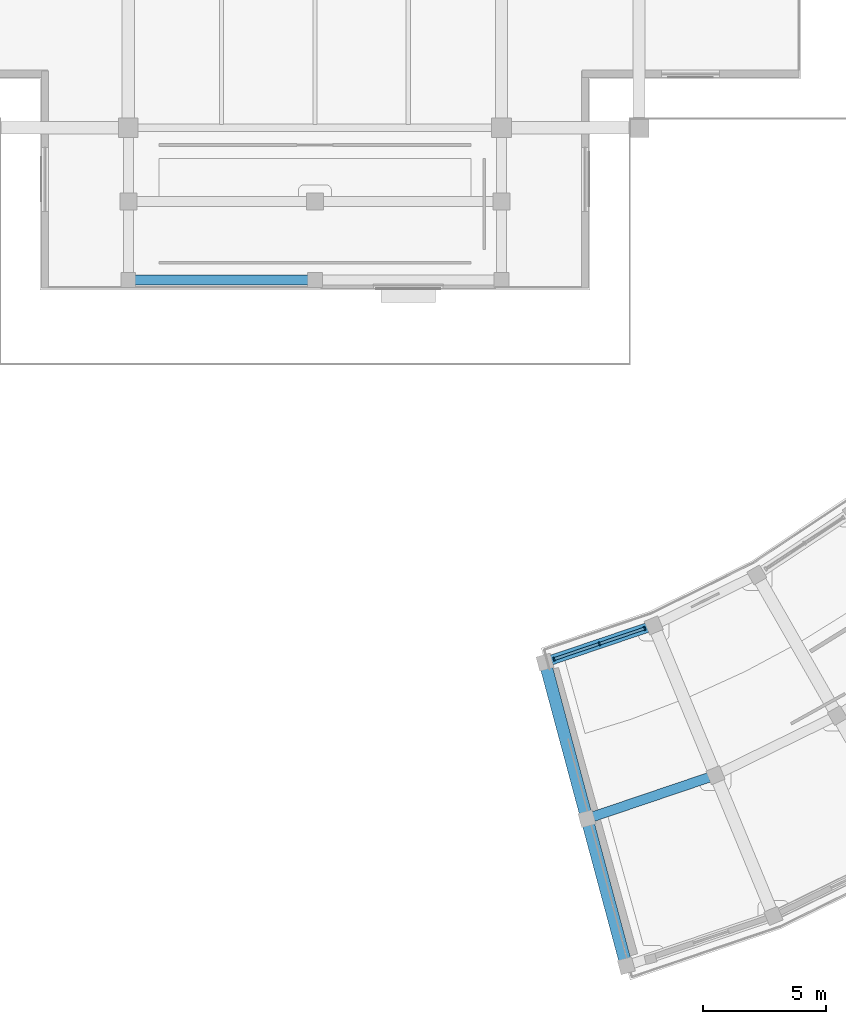
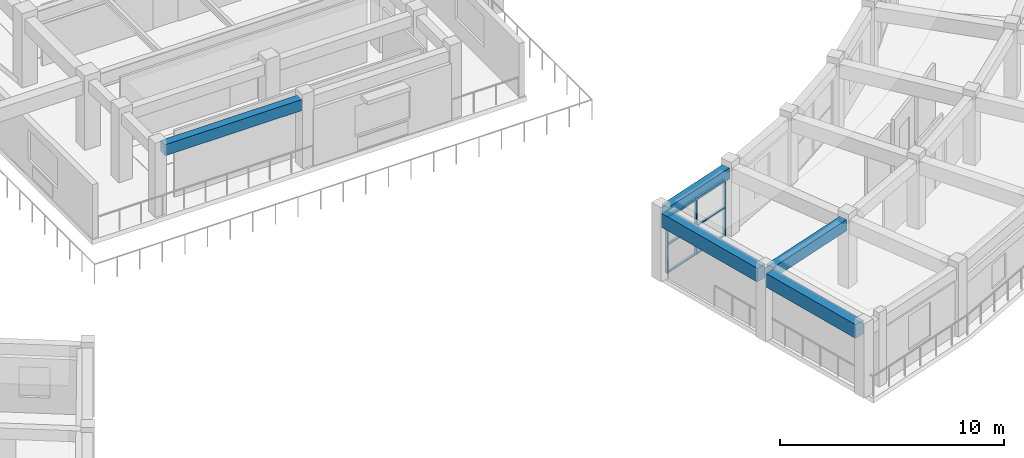
# One storey, part 15 of 72: 9 members, 5 beams, 1 element without a shape of its own.
"""IFC4 building model written with IfcOpenShell, lengths in metres."""

from ifc_helpers import new_model, si_unit, direction, frame, origin, origin_2d, place, context, subcontext, project, spatial, rectangle, extrude, material, material_profile, profile_set, type_object, element, aggregate, save


model = new_model("IFC4")

# Units and contexts
model_context = context("Model", 3, precision=1e-05, world=origin(), true_north=direction((0.0, 1.0)))
body_context = subcontext(model_context, "Body", "Model", "MODEL_VIEW")
ifc_project = project(units=[si_unit("LENGTHUNIT", "METRE"), si_unit("AREAUNIT", "SQUARE_METRE"), si_unit("VOLUMEUNIT", "CUBIC_METRE"), si_unit("PLANEANGLEUNIT", "RADIAN"), si_unit("MASSUNIT", "GRAM", prefix="KILO")], contexts=[model_context])

# Site, building, storey
site_placement = place(None, origin())
site = spatial("IfcSite", under=ifc_project, at=site_placement, CompositionType="ELEMENT")
building_placement = place(site_placement, origin())
building = spatial("IfcBuilding", under=site, at=building_placement, Name="Saryqyr Civic Hall", CompositionType="ELEMENT")
storey_placement = place(building_placement, frame((0.0, 0.0, 17.25)))
storey = spatial("IfcBuildingStorey", under=building, at=storey_placement, Name="L04", CompositionType="ELEMENT", Elevation=17.25)

# Curtain wall, members
ifc_material_1 = material(Name="Anodised aluminium and triple low-E glass", Category="aluminium")
curtain_wall_type = type_object("IfcCurtainWallType", Name="ENV-CW-STD-13", PredefinedType="NOTDEFINED", material=ifc_material_1)
curtain_wall_placement = place(storey_placement, origin())
curtain_wall = element("IfcCurtainWall", 1, at=curtain_wall_placement, inside=storey, type_object=curtain_wall_type, Name="Curtain wall V5-CWI-L04-00", PredefinedType="NOTDEFINED")
ifc_material_2 = material(Name="Anodised aluminium", Category="aluminium")
ifc_material_profile_1 = material_profile(ifc_material_2, rectangle(XDim=0.06005859375, YDim=0.159912109375, at=origin_2d()), Name="ALU MULLION 60x160")
ifc_profile_set_1 = profile_set([ifc_material_profile_1], Name="Anodised aluminium")
member_type_1 = type_object("IfcMemberType", Name="ENV-CW-MUL-180", PredefinedType="MULLION", material=ifc_profile_set_1)
member_1_placement = place(storey_placement, frame((66.737548828125, 49.158203125, 0.0), z_axis=(0.0, 0.0, 1.0), x_axis=(0.947202392558, 0.320636285428, 0.0)))
member_1 = element("IfcMember", 2, at=member_1_placement, type_object=member_type_1, Name="CW-13 mullion 1", PredefinedType="MULLION", context=body_context, shape_type="SweptSolid", body=[
    extrude(rectangle(XDim=0.06005859375, YDim=0.159912109375, at=origin_2d()), origin(), (0.0, 0.0, 1.0), 3.0849609375),
])
member_2_placement = place(storey_placement, frame((68.58349609375, 49.782958984375, 0.0), z_axis=(0.0, 0.0, 1.0), x_axis=(0.947202392558, 0.320636285428, 0.0)))
member_2 = element("IfcMember", 3, at=member_2_placement, type_object=member_type_1, Name="CW-13 mullion 2", PredefinedType="MULLION", context=body_context, shape_type="SweptSolid", body=[
    extrude(rectangle(XDim=0.06005859375, YDim=0.159912109375, at=origin_2d()), origin(), (0.0, 0.0, 1.0), 3.0849609375),
])
member_3_placement = place(storey_placement, frame((70.42919921875, 50.407958984375, 0.0), z_axis=(0.0, 0.0, 1.0), x_axis=(0.947202392558, 0.320636285428, 0.0)))
member_3 = element("IfcMember", 4, at=member_3_placement, type_object=member_type_1, Name="CW-13 mullion 3", PredefinedType="MULLION", context=body_context, shape_type="SweptSolid", body=[
    extrude(rectangle(XDim=0.06005859375, YDim=0.159912109375, at=origin_2d()), origin(), (0.0, 0.0, 1.0), 3.0849609375),
])
ifc_material_profile_2 = material_profile(ifc_material_2, rectangle(XDim=0.1201171875, YDim=0.06005859375, at=origin_2d()), Name="ALU TRANSOM 120x60")
ifc_profile_set_2 = profile_set([ifc_material_profile_2], Name="Anodised aluminium")
member_type_2 = type_object("IfcMemberType", Name="ENV-CW-TRN-150", PredefinedType="USERDEFINED", material=ifc_profile_set_2)
member_4_placement = place(storey_placement, frame((66.76611328125, 49.167724609375, 0.030029296875), z_axis=(0.947173081029, 0.320722862568, 0.0), x_axis=(-0.320722862568, 0.947173081029, 0.0)))
member_4 = element("IfcMember", 5, at=member_4_placement, type_object=member_type_2, Name="CW-13 transom 1.1", ObjectType="TRANSOM", PredefinedType="USERDEFINED", context=body_context, shape_type="SweptSolid", body=[
    extrude(rectangle(XDim=0.1201171875, YDim=0.06005859375, at=origin_2d()), origin(), (0.0, 0.0, 1.0), 1.888671875),
])
member_5_placement = place(storey_placement, frame((66.76611328125, 49.167724609375, 1.54296875), z_axis=(0.947173081029, 0.320722862568, 0.0), x_axis=(-0.320722862568, 0.947173081029, 0.0)))
member_5 = element("IfcMember", 6, at=member_5_placement, type_object=member_type_2, Name="CW-13 transom 1.2", ObjectType="TRANSOM", PredefinedType="USERDEFINED", context=body_context, shape_type="SweptSolid", body=[
    extrude(rectangle(XDim=0.1201171875, YDim=0.06005859375, at=origin_2d()), origin(), (0.0, 0.0, 1.0), 1.888671875),
])
member_6_placement = place(storey_placement, frame((66.76611328125, 49.167724609375, 3.054931640625), z_axis=(0.947173081029, 0.320722862568, 0.0), x_axis=(-0.320722862568, 0.947173081029, 0.0)))
member_6 = element("IfcMember", 7, at=member_6_placement, type_object=member_type_2, Name="CW-13 transom 1.3", ObjectType="TRANSOM", PredefinedType="USERDEFINED", context=body_context, shape_type="SweptSolid", body=[
    extrude(rectangle(XDim=0.1201171875, YDim=0.06005859375, at=origin_2d()), origin(), (0.0, 0.0, 1.0), 1.888671875),
])
member_7_placement = place(storey_placement, frame((68.61181640625, 49.792724609375, 0.030029296875), z_axis=(0.947225631474, 0.320567626372, 0.0), x_axis=(-0.320567626372, 0.947225631474, 0.0)))
member_7 = element("IfcMember", 8, at=member_7_placement, type_object=member_type_2, Name="CW-13 transom 2.1", ObjectType="TRANSOM", PredefinedType="USERDEFINED", context=body_context, shape_type="SweptSolid", body=[
    extrude(rectangle(XDim=0.1201171875, YDim=0.06005859375, at=origin_2d()), origin(), (0.0, 0.0, 1.0), 1.888671875),
])
member_8_placement = place(storey_placement, frame((68.61181640625, 49.792724609375, 1.54296875), z_axis=(0.947225631474, 0.320567626372, 0.0), x_axis=(-0.320567626372, 0.947225631474, 0.0)))
member_8 = element("IfcMember", 9, at=member_8_placement, type_object=member_type_2, Name="CW-13 transom 2.2", ObjectType="TRANSOM", PredefinedType="USERDEFINED", context=body_context, shape_type="SweptSolid", body=[
    extrude(rectangle(XDim=0.1201171875, YDim=0.06005859375, at=origin_2d()), origin(), (0.0, 0.0, 1.0), 1.888671875),
])
member_9_placement = place(storey_placement, frame((68.61181640625, 49.792724609375, 3.054931640625), z_axis=(0.947225631474, 0.320567626372, 0.0), x_axis=(-0.320567626372, 0.947225631474, 0.0)))
member_9 = element("IfcMember", 10, at=member_9_placement, type_object=member_type_2, Name="CW-13 transom 2.3", ObjectType="TRANSOM", PredefinedType="USERDEFINED", context=body_context, shape_type="SweptSolid", body=[
    extrude(rectangle(XDim=0.1201171875, YDim=0.06005859375, at=origin_2d()), origin(), (0.0, 0.0, 1.0), 1.888671875),
])
aggregate(curtain_wall, [member_1, member_2, member_3, member_4, member_5, member_6, member_7, member_8, member_9])

# Beams
ifc_material_3 = material(Name="Concrete C35/45", Category="concrete")
ifc_material_profile_3 = material_profile(ifc_material_3, rectangle(XDim=0.39990234375, YDim=0.60009765625, at=origin_2d()), Name="RC 400x600")
ifc_profile_set_3 = profile_set([ifc_material_profile_3], Name="Concrete C35/45")
beam_type_1 = type_object("IfcBeamType", Name="STR-BM-RC400x600", PredefinedType="BEAM", material=ifc_profile_set_3)
beam_1_placement = place(storey_placement, frame((49.675048828125, 64.60009765625, 3.409912109375), z_axis=(1.0, 0.0, 0.0), x_axis=(0.0, 1.0, 0.0)))
element("IfcBeam", 11, at=beam_1_placement, inside=storey, type_object=beam_type_1, Name="Beam V1-TBM-33-L04", PredefinedType="BEAM", context=body_context, shape_type="SweptSolid", body=[
    extrude(rectangle(XDim=0.39990234375, YDim=0.60009765625, at=origin_2d()), origin(), (0.0, 0.0, 1.0), 7.050048828125),
])
beam_2_placement = place(storey_placement, frame((68.337890625, 42.74658203125, 3.409912109375), z_axis=(0.947191677807, 0.32066793649, 0.0), x_axis=(-0.32066793649, 0.947191677807, 0.0)))
element("IfcBeam", 12, at=beam_2_placement, inside=storey, type_object=beam_type_1, Name="Beam V5-CBM-MID00-L04", PredefinedType="BEAM", context=body_context, shape_type="SweptSolid", body=[
    extrude(rectangle(XDim=0.39990234375, YDim=0.60009765625, at=origin_2d()), origin(), (0.0, 0.0, 1.0), 4.977783203125),
])
ifc_material_profile_4 = material_profile(ifc_material_3, rectangle(XDim=0.39990234375, YDim=0.60009765625, at=origin_2d()), Name="RC 400x600")
ifc_profile_set_4 = profile_set([ifc_material_profile_4], Name="Concrete C35/45")
beam_type_2 = type_object("IfcBeamType", Name="STR-BM-RC400x600-EXT", PredefinedType="BEAM", material=ifc_profile_set_4)
beam_3_placement = place(storey_placement, frame((66.629638671875, 49.12158203125, 3.409912109375), z_axis=(0.947199378893, 0.320645188057, 0.0), x_axis=(-0.320645188057, 0.947199378893, 0.0)))
element("IfcBeam", 13, at=beam_3_placement, inside=storey, type_object=beam_type_2, Name="Beam V5-CBM-IN00-L04", PredefinedType="BEAM", context=body_context, shape_type="SweptSolid", body=[
    extrude(rectangle(XDim=0.39990234375, YDim=0.60009765625, at=origin_2d()), origin(), (0.0, 0.0, 1.0), 4.125244140625),
])
ifc_material_4 = material(Name="Concrete C40/50", Category="concrete")
ifc_material_profile_5 = material_profile(ifc_material_4, rectangle(XDim=0.5, YDim=0.75, at=origin_2d()), Name="RC 500x750")
ifc_profile_set_5 = profile_set([ifc_material_profile_5], Name="Concrete C40/50")
beam_type_3 = type_object("IfcBeamType", Name="STR-BM-RC500x750", PredefinedType="BEAM", material=ifc_profile_set_5)
beam_4_placement = place(storey_placement, frame((66.4404296875, 48.767822265625, 3.3349609375), z_axis=(0.258832905588, -0.965922112277, 0.0), x_axis=(0.965922112277, 0.258832905588, 0.0)))
element("IfcBeam", 14, at=beam_4_placement, inside=storey, type_object=beam_type_3, Name="Beam V5-RBM-A00-L04", PredefinedType="BEAM", context=body_context, shape_type="SweptSolid", body=[
    extrude(rectangle(XDim=0.5, YDim=0.75, at=origin_2d()), origin(), (0.0, 0.0, 1.0), 6.0498046875),
])
beam_5_placement = place(storey_placement, frame((68.148681640625, 42.392822265625, 3.3349609375), z_axis=(0.25878936227, -0.965933779291, 0.0), x_axis=(0.965933779291, 0.25878936227, 0.0)))
element("IfcBeam", 15, at=beam_5_placement, inside=storey, type_object=beam_type_3, Name="Beam V5-RBM-B00-L04", PredefinedType="BEAM", context=body_context, shape_type="SweptSolid", body=[
    extrude(rectangle(XDim=0.5, YDim=0.75, at=origin_2d()), origin(), (0.0, 0.0, 1.0), 5.64990234375),
])

save(model, "model.ifc")
